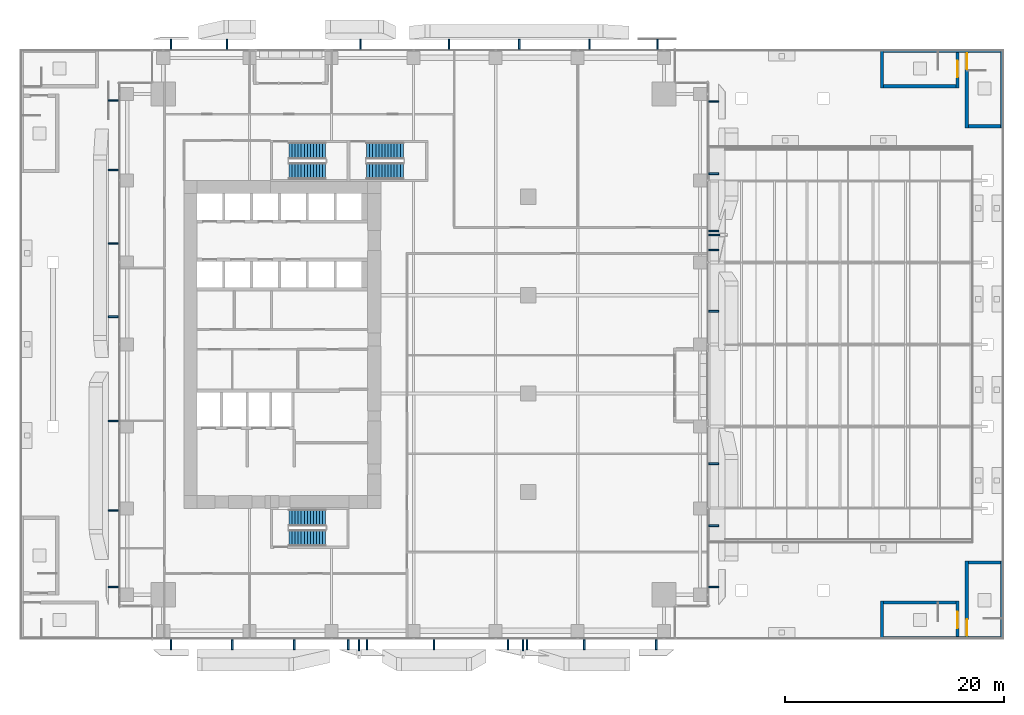
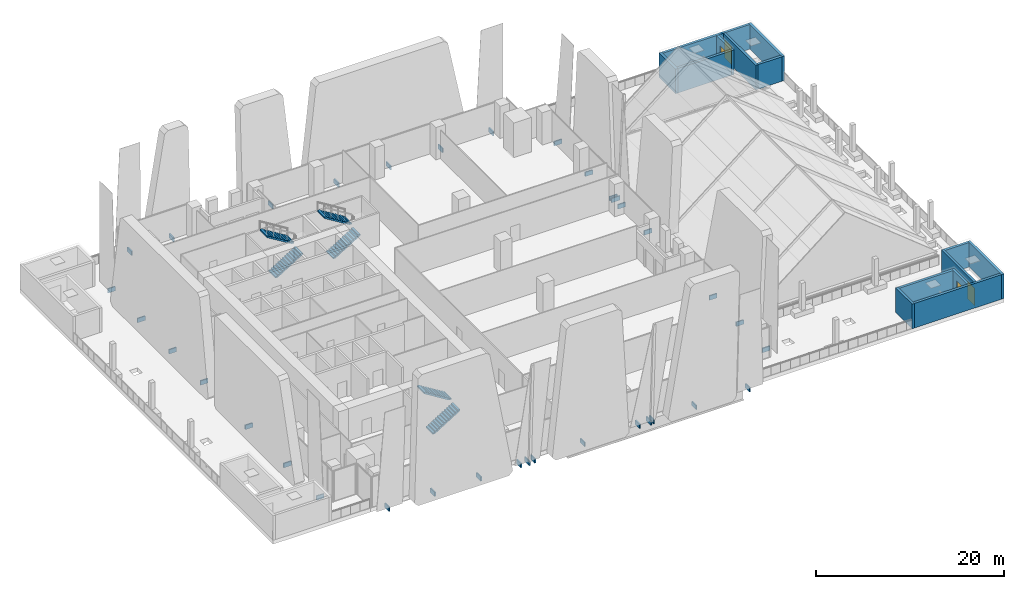
# One storey, part 39 of 46: 35 discrete accessories, 14 walls, 6 stair flights, 4 doors, 4 openings, 3 elements without a shape of their own.
"""IFC4 building model written with IfcOpenShell, lengths in metres."""

from ifc_helpers import new_model, si_unit, direction, frame, frame_2d, origin, origin_2d, place, context, subcontext, project, spatial, polyline, rectangle, outline, extrude, source, transform, mapped, material, layer, layer_set, type_object, element, fill, aggregate, save


model = new_model("IFC4")

# Units and contexts
model_context = context("Model", 3, precision=1e-05, world=origin(), true_north=direction((0.0, 1.0)))
body_context = subcontext(model_context, "Body", "Model", "MODEL_VIEW")
ifc_project = project(units=[si_unit("LENGTHUNIT", "METRE"), si_unit("AREAUNIT", "SQUARE_METRE"), si_unit("VOLUMEUNIT", "CUBIC_METRE"), si_unit("PLANEANGLEUNIT", "RADIAN"), si_unit("MASSUNIT", "GRAM", prefix="KILO")], contexts=[model_context])

# Site, building, storey
site_placement = place(None, origin())
site = spatial("IfcSite", under=ifc_project, at=site_placement, CompositionType="ELEMENT")
building_placement = place(site_placement, origin())
building = spatial("IfcBuilding", under=site, at=building_placement, Name="Khomas Fold Tower", CompositionType="ELEMENT")
storey_placement = place(building_placement, frame((0.0, 0.0, 33.0)))
storey = spatial("IfcBuildingStorey", under=building, at=storey_placement, Name="L06", CompositionType="ELEMENT", Elevation=33.0)

# Walls
ifc_material_1 = material(Name="Concrete C40/50", Category="concrete")
ifc_layer = layer(ifc_material_1, 0.300048828125)
ifc_layer_set = layer_set([ifc_layer], Name="Concrete C40/50")
wall_type = type_object("IfcWallType", Name="Stair head house wall PD-HW", PredefinedType="SOLIDWALL", material=ifc_layer_set)
shared_shape_1 = source(origin(), body_context, "Body", "SweptSolid", [
    extrude(rectangle(XDim=3.550048828125, YDim=0.300048828125, at=frame_2d((1.77490234375, 0.0))), origin(), (0.0, 0.0, 1.0), 3.199951171875),
])
for number, where, z_axis, x_axis, name in (
    (1, (69.85009765625, 3.550048828125, 0.0), (0.0, 0.0, 1.0), (0.0, -1.0, 0.0), "Stair head house wall"),
    (2, (69.85009765625, 54.0, 0.0), (0.0, 0.0, 1.0), (0.0, -1.0, 0.0), "Stair head house wall"),
):
    element("IfcWall", number, at=place(storey_placement, frame(where, z_axis=z_axis, x_axis=x_axis)), inside=storey, type_object=wall_type, Name=name, PredefinedType="SOLIDWALL", context=body_context, shape_type="MappedRepresentation", body=[
        mapped(shared_shape_1, transform((0.0, 0.0, 0.0))),
    ])
shared_shape_2 = source(origin(), body_context, "Body", "SweptSolid", [
    extrude(rectangle(XDim=2.949951171875, YDim=0.300048828125, at=frame_2d((1.47509765625, 0.0))), origin(), (0.0, 0.0, 1.0), 3.199951171875),
])
for number, where, z_axis, x_axis, name in (
    (3, (80.699951171875, 7.050048828125, 0.0), (0.0, 0.0, 1.0), (-1.0, 0.0, 0.0), "Stair head house wall"),
    (4, (77.75, 46.949951171875, 0.0), (0.0, 0.0, 1.0), (1.0, 0.0, 0.0), "Stair head house wall"),
):
    element("IfcWall", number, at=place(storey_placement, frame(where, z_axis=z_axis, x_axis=x_axis)), inside=storey, type_object=wall_type, Name=name, PredefinedType="SOLIDWALL", context=body_context, shape_type="MappedRepresentation", body=[
        mapped(shared_shape_2, transform((0.0, 0.0, 0.0))),
    ])
shared_shape_3 = source(origin(), body_context, "Body", "SweptSolid", [
    extrude(rectangle(XDim=7.199951171875, YDim=0.300048828125, at=frame_2d((3.60009765625, 0.0))), origin(), (0.0, 0.0, 1.0), 3.199951171875),
])
for number, where, z_axis, x_axis, name in (
    (5, (80.85009765625, 0.0, 0.0), (0.0, 0.0, 1.0), (0.0, 1.0, 0.0), "Stair head house wall"),
    (6, (80.85009765625, 46.800048828125, 0.0), (0.0, 0.0, 1.0), (0.0, 1.0, 0.0), "Stair head house wall"),
):
    element("IfcWall", number, at=place(storey_placement, frame(where, z_axis=z_axis, x_axis=x_axis)), inside=storey, type_object=wall_type, Name=name, PredefinedType="SOLIDWALL", context=body_context, shape_type="MappedRepresentation", body=[
        mapped(shared_shape_3, transform((0.0, 0.0, 0.0))),
    ])
shared_shape_4 = source(origin(), body_context, "Body", "SweptSolid", [
    extrude(rectangle(XDim=10.699951171875, YDim=0.300048828125, at=frame_2d((5.35009765625, 0.0))), origin(), (0.0, 0.0, 1.0), 3.199951171875),
])
for number, where, z_axis, x_axis, name in (
    (7, (70.0, 0.14990234375, 0.0), (0.0, 0.0, 1.0), (1.0, 0.0, 0.0), "Stair head house wall"),
    (8, (80.699951171875, 53.85009765625, 0.0), (0.0, 0.0, 1.0), (-1.0, 0.0, 0.0), "Stair head house wall"),
):
    element("IfcWall", number, at=place(storey_placement, frame(where, z_axis=z_axis, x_axis=x_axis)), inside=storey, type_object=wall_type, Name=name, PredefinedType="SOLIDWALL", context=body_context, shape_type="MappedRepresentation", body=[
        mapped(shared_shape_4, transform((0.0, 0.0, 0.0))),
    ])

# Wall, opening, door
shared_shape_5 = source(origin(), body_context, "Body", "SweptSolid", [
    extrude(rectangle(XDim=3.25, YDim=0.300048828125, at=frame_2d((1.625, 0.0))), origin(), (0.0, 0.0, 1.0), 3.199951171875),
])
wall_1_placement = place(storey_placement, frame((76.75, 0.300048828125, 0.0), z_axis=(0.0, 0.0, 1.0), x_axis=(0.0, 1.0, 0.0)))
wall_1 = element("IfcWall", 9, at=wall_1_placement, inside=storey, type_object=wall_type, Name="Stair head house wall", PredefinedType="SOLIDWALL", context=body_context, shape_type="MappedRepresentation", body=[
    mapped(shared_shape_5, transform((0.0, 0.0, 0.0))),
])
shared_shape_6 = source(origin(), body_context, "Body", "SweptSolid", [
    extrude(rectangle(XDim=1.5, YDim=2.300048828125, at=frame_2d((0.75, 1.14990234375))), frame((0.0, 0.159912109375, 0.0), z_axis=(0.0, -1.0, 0.0), x_axis=(1.0, 0.0, 0.0)), (0.0, 0.0, 1.0), 0.320068359375),
])
opening_1_placement = place(wall_1_placement, frame((2.25, 0.0, 0.0), z_axis=(0.0, 0.0, 1.0), x_axis=(-1.0, 0.0, 0.0)))
opening_1 = element("IfcOpeningElement", 10, at=opening_1_placement, cuts=wall_1, Name="Opening R-PS3", PredefinedType="OPENING", context=body_context, shape_type="MappedRepresentation", body=[
    mapped(shared_shape_6, transform((0.0, 0.0, 0.0))),
])
ifc_material_2 = material(Name="Aluminium framed glazing", Category="aluminium")
door_type = type_object("IfcDoorType", Name="Roof garden door 1700 x 2300", OperationType="DOUBLE_DOOR_SINGLE_SWING", PredefinedType="DOOR", material=ifc_material_2)
shared_shape_7 = source(origin(), body_context, "Body", "SweptSolid", [
    extrude(rectangle(XDim=1.5, YDim=2.300048828125, at=frame_2d((0.75, 1.14990234375))), frame((0.0, 0.02490234375, 0.0), z_axis=(0.0, -1.0, 0.0), x_axis=(1.0, 0.0, 0.0)), (0.0, 0.0, 1.0), 0.050048828125),
])
door_1_placement = place(opening_1_placement, origin())
door_1 = element("IfcDoor", 11, at=door_1_placement, inside=storey, type_object=door_type, Name="Roof exit PS3", OperationType="DOUBLE_DOOR_SINGLE_SWING", OverallHeight=2.300048828125, OverallWidth=1.5, PredefinedType="DOOR", context=body_context, shape_type="MappedRepresentation", body=[
    mapped(shared_shape_7, transform((0.0, 0.0, 0.0))),
])
fill(opening_1, door_1)

wall_2_placement = place(storey_placement, frame((76.75, 50.449951171875, 0.0), z_axis=(0.0, 0.0, 1.0), x_axis=(0.0, 1.0, 0.0)))
wall_2 = element("IfcWall", 12, at=wall_2_placement, inside=storey, type_object=wall_type, Name="Stair head house wall", PredefinedType="SOLIDWALL", context=body_context, shape_type="MappedRepresentation", body=[
    mapped(shared_shape_5, transform((0.0, 0.0, 0.0))),
])
opening_2_placement = place(wall_2_placement, frame((2.5, 0.0, 0.0), z_axis=(0.0, 0.0, 1.0), x_axis=(-1.0, 0.0, 0.0)))
opening_2 = element("IfcOpeningElement", 13, at=opening_2_placement, cuts=wall_2, Name="Opening R-PS5", PredefinedType="OPENING", context=body_context, shape_type="MappedRepresentation", body=[
    mapped(shared_shape_6, transform((0.0, 0.0, 0.0))),
])
door_2_placement = place(opening_2_placement, origin())
door_2 = element("IfcDoor", 14, at=door_2_placement, inside=storey, type_object=door_type, Name="Roof exit PS5", OperationType="DOUBLE_DOOR_SINGLE_SWING", OverallHeight=2.300048828125, OverallWidth=1.5, PredefinedType="DOOR", context=body_context, shape_type="MappedRepresentation", body=[
    mapped(shared_shape_7, transform((0.0, 0.0, 0.0))),
])
fill(opening_2, door_2)

# Walls
shared_shape_8 = source(origin(), body_context, "Body", "SweptSolid", [
    extrude(rectangle(XDim=6.60009765625, YDim=0.300048828125, at=frame_2d((3.300048828125, 0.0))), origin(), (0.0, 0.0, 1.0), 3.199951171875),
])
for number, where, z_axis, x_axis, name in (
    (15, (76.60009765625, 3.39990234375, 0.0), (0.0, 0.0, 1.0), (-1.0, 0.0, 0.0), "Stair head house wall"),
    (16, (70.0, 50.60009765625, 0.0), (0.0, 0.0, 1.0), (1.0, 0.0, 0.0), "Stair head house wall"),
):
    element("IfcWall", number, at=place(storey_placement, frame(where, z_axis=z_axis, x_axis=x_axis)), inside=storey, type_object=wall_type, Name=name, PredefinedType="SOLIDWALL", context=body_context, shape_type="MappedRepresentation", body=[
        mapped(shared_shape_8, transform((0.0, 0.0, 0.0))),
    ])

# Wall, opening, door
shared_shape_9 = source(origin(), body_context, "Body", "SweptSolid", [
    extrude(rectangle(XDim=6.89990234375, YDim=0.300048828125, at=frame_2d((3.449951171875, 0.0))), origin(), (0.0, 0.0, 1.0), 3.199951171875),
])
wall_3_placement = place(storey_placement, frame((77.60009765625, 7.199951171875, 0.0), z_axis=(0.0, 0.0, 1.0), x_axis=(0.0, -1.0, 0.0)))
wall_3 = element("IfcWall", 17, at=wall_3_placement, inside=storey, type_object=wall_type, Name="Stair head house wall", PredefinedType="SOLIDWALL", context=body_context, shape_type="MappedRepresentation", body=[
    mapped(shared_shape_9, transform((0.0, 0.0, 0.0))),
])
opening_3_placement = place(wall_3_placement, frame((5.35009765625, 0.0, 0.0)))
opening_3 = element("IfcOpeningElement", 18, at=opening_3_placement, cuts=wall_3, Name="Opening R-PS4", PredefinedType="OPENING", context=body_context, shape_type="MappedRepresentation", body=[
    mapped(shared_shape_6, transform((0.0, 0.0, 0.0))),
])
door_3_placement = place(opening_3_placement, origin())
door_3 = element("IfcDoor", 19, at=door_3_placement, inside=storey, type_object=door_type, Name="Roof exit PS4", OperationType="DOUBLE_DOOR_SINGLE_SWING", OverallHeight=2.300048828125, OverallWidth=1.5, PredefinedType="DOOR", context=body_context, shape_type="MappedRepresentation", body=[
    mapped(shared_shape_7, transform((0.0, 0.0, 0.0))),
])
fill(opening_3, door_3)

wall_4_placement = place(storey_placement, frame((77.60009765625, 53.699951171875, 0.0), z_axis=(0.0, 0.0, 1.0), x_axis=(0.0, -1.0, 0.0)))
wall_4 = element("IfcWall", 20, at=wall_4_placement, inside=storey, type_object=wall_type, Name="Stair head house wall", PredefinedType="SOLIDWALL", context=body_context, shape_type="MappedRepresentation", body=[
    mapped(shared_shape_9, transform((0.0, 0.0, 0.0))),
])
opening_4_placement = place(wall_4_placement, frame((0.050048828125, 0.0, 0.0)))
opening_4 = element("IfcOpeningElement", 21, at=opening_4_placement, cuts=wall_4, Name="Opening R-PS6", PredefinedType="OPENING", context=body_context, shape_type="MappedRepresentation", body=[
    mapped(shared_shape_6, transform((0.0, 0.0, 0.0))),
])
door_4_placement = place(opening_4_placement, origin())
door_4 = element("IfcDoor", 22, at=door_4_placement, inside=storey, type_object=door_type, Name="Roof exit PS6", OperationType="DOUBLE_DOOR_SINGLE_SWING", OverallHeight=2.300048828125, OverallWidth=1.5, PredefinedType="DOOR", context=body_context, shape_type="MappedRepresentation", body=[
    mapped(shared_shape_7, transform((0.0, 0.0, 0.0))),
])
fill(opening_4, door_4)

# Stair, stair flights
ifc_material_3 = material(Name="Concrete C40/50", Category="concrete")
stair_type_1 = type_object("IfcStairType", Name="Stair ST1", PredefinedType="HALF_TURN_STAIR", material=ifc_material_3)
stair_1_placement = place(storey_placement, origin())
stair_1 = element("IfcStair", 23, at=stair_1_placement, inside=storey, type_object=stair_type_1, Name="L06 ST1", PredefinedType="HALF_TURN_STAIR")
ifc_material_4 = material(Name="Concrete C40/50", Category="concrete")
stair_flight_type_1 = type_object("IfcStairFlightType", Name="Stair flight 1500 ST1", PredefinedType="STRAIGHT", material=ifc_material_4)
shared_shape_10 = source(origin(), body_context, "Body", "SweptSolid", [
    extrude(outline(polyline([(0.0, 0.0), (0.0, 0.013427734375), (0.0, 0.026611328125), (0.0, 0.0400390625), (0.0, 0.05322265625), (0.0, 0.066650390625), (0.0, 0.079833984375), (0.0, 0.09326171875), (0.0, 0.1064453125), (0.0, 0.119873046875), (0.0, 0.133056640625), (0.0, 0.146484375), (0.0, 0.15966796875), (0.0, 0.173095703125), (0.280029296875, 0.173095703125), (0.280029296875, 0.34619140625), (0.56005859375, 0.34619140625), (0.56005859375, 0.519287109375), (0.840087890625, 0.519287109375), (0.840087890625, 0.6923828125), (1.1201171875, 0.6923828125), (1.1201171875, 0.865478515625), (1.39990234375, 0.865478515625), (1.39990234375, 1.03857421875), (1.679931640625, 1.03857421875), (1.679931640625, 1.21142578125), (1.9599609375, 1.21142578125), (1.9599609375, 1.384521484375), (2.239990234375, 1.384521484375), (2.239990234375, 1.5576171875), (2.52001953125, 1.5576171875), (2.52001953125, 1.730712890625), (2.800048828125, 1.730712890625), (2.800048828125, 1.90380859375), (3.080078125, 1.90380859375), (3.080078125, 2.076904296875), (3.360107421875, 2.076904296875), (3.360107421875, 2.25), (3.360107421875, 2.22314453125), (3.360107421875, 2.1962890625), (3.360107421875, 2.16943359375), (3.360107421875, 2.142578125), (3.360107421875, 2.11572265625), (3.360107421875, 2.0888671875), (3.360107421875, 2.06201171875), (3.360107421875, 2.03515625), (3.360107421875, 2.008056640625), (3.360107421875, 1.981201171875), (3.360107421875, 1.954345703125), (3.360107421875, 1.927490234375), (3.360107421875, 1.900634765625), (0.28515625, 0.0), (0.0, 0.0)])), frame((0.0, 0.75, 0.0), z_axis=(0.0, -1.0, 0.0), x_axis=(1.0, 0.0, 0.0)), (0.0, 0.0, 1.0), 1.5),
])
stair_flight_1_placement = place(storey_placement, frame((15.60009765625, 42.85009765625, 0.0), z_axis=(0.0, 0.0, 1.0), x_axis=(1.0, 0.0, 0.0)))
stair_flight_1 = element("IfcStairFlight", 24, at=stair_flight_1_placement, type_object=stair_flight_type_1, Name="ST1 flight 1", NumberOfRisers=13, NumberOfTreads=12, PredefinedType="STRAIGHT", RiserHeight=0.173076923, TreadLength=0.28, context=body_context, shape_type="MappedRepresentation", body=[
    mapped(shared_shape_10, transform((0.0, 0.0, 0.0))),
])
stair_flight_2_placement = place(storey_placement, frame((18.9599609375, 44.699951171875, 2.25), z_axis=(0.0, 0.0, 1.0), x_axis=(-1.0, 0.0, 0.0)))
stair_flight_2 = element("IfcStairFlight", 25, at=stair_flight_2_placement, type_object=stair_flight_type_1, Name="ST1 flight 2", NumberOfRisers=13, NumberOfTreads=12, PredefinedType="STRAIGHT", RiserHeight=0.173076923, TreadLength=0.28, context=body_context, shape_type="MappedRepresentation", body=[
    mapped(shared_shape_10, transform((0.0, 0.0, 0.0))),
])
aggregate(stair_1, [stair_flight_1, stair_flight_2])

ifc_material_5 = material(Name="Concrete C40/50", Category="concrete")
stair_type_2 = type_object("IfcStairType", Name="Stair ST2", PredefinedType="HALF_TURN_STAIR", material=ifc_material_5)
stair_2_placement = place(storey_placement, origin())
stair_2 = element("IfcStair", 26, at=stair_2_placement, inside=storey, type_object=stair_type_2, Name="L06 ST2", PredefinedType="HALF_TURN_STAIR")
ifc_material_6 = material(Name="Concrete C40/50", Category="concrete")
stair_flight_type_2 = type_object("IfcStairFlightType", Name="Stair flight 1500 ST2", PredefinedType="STRAIGHT", material=ifc_material_6)
stair_flight_3_placement = place(storey_placement, frame((15.60009765625, 9.300048828125, 0.0), z_axis=(0.0, 0.0, 1.0), x_axis=(1.0, 0.0, 0.0)))
stair_flight_3 = element("IfcStairFlight", 27, at=stair_flight_3_placement, type_object=stair_flight_type_2, Name="ST2 flight 1", NumberOfRisers=13, NumberOfTreads=12, PredefinedType="STRAIGHT", RiserHeight=0.173076923, TreadLength=0.28, context=body_context, shape_type="MappedRepresentation", body=[
    mapped(shared_shape_10, transform((0.0, 0.0, 0.0))),
])
stair_flight_4_placement = place(storey_placement, frame((18.9599609375, 11.14990234375, 2.25), z_axis=(0.0, 0.0, 1.0), x_axis=(-1.0, 0.0, 0.0)))
stair_flight_4 = element("IfcStairFlight", 28, at=stair_flight_4_placement, type_object=stair_flight_type_2, Name="ST2 flight 2", NumberOfRisers=13, NumberOfTreads=12, PredefinedType="STRAIGHT", RiserHeight=0.173076923, TreadLength=0.28, context=body_context, shape_type="MappedRepresentation", body=[
    mapped(shared_shape_10, transform((0.0, 0.0, 0.0))),
])
aggregate(stair_2, [stair_flight_3, stair_flight_4])

ifc_material_7 = material(Name="Concrete C40/50", Category="concrete")
stair_type_3 = type_object("IfcStairType", Name="Stair ST3", PredefinedType="HALF_TURN_STAIR", material=ifc_material_7)
stair_3_placement = place(storey_placement, origin())
stair_3 = element("IfcStair", 29, at=stair_3_placement, inside=storey, type_object=stair_type_3, Name="L06 ST3", PredefinedType="HALF_TURN_STAIR")
ifc_material_8 = material(Name="Concrete C40/50", Category="concrete")
stair_flight_type_3 = type_object("IfcStairFlightType", Name="Stair flight 1500 ST3", PredefinedType="STRAIGHT", material=ifc_material_8)
stair_flight_5_placement = place(storey_placement, frame((22.699951171875, 42.85009765625, 0.0), z_axis=(0.0, 0.0, 1.0), x_axis=(1.0, 0.0, 0.0)))
stair_flight_5 = element("IfcStairFlight", 30, at=stair_flight_5_placement, type_object=stair_flight_type_3, Name="ST3 flight 1", NumberOfRisers=13, NumberOfTreads=12, PredefinedType="STRAIGHT", RiserHeight=0.173076923, TreadLength=0.28, context=body_context, shape_type="MappedRepresentation", body=[
    mapped(shared_shape_10, transform((0.0, 0.0, 0.0))),
])
stair_flight_6_placement = place(storey_placement, frame((26.06005859375, 44.699951171875, 2.25), z_axis=(0.0, 0.0, 1.0), x_axis=(-1.0, 0.0, 0.0)))
stair_flight_6 = element("IfcStairFlight", 31, at=stair_flight_6_placement, type_object=stair_flight_type_3, Name="ST3 flight 2", NumberOfRisers=13, NumberOfTreads=12, PredefinedType="STRAIGHT", RiserHeight=0.173076923, TreadLength=0.28, context=body_context, shape_type="MappedRepresentation", body=[
    mapped(shared_shape_10, transform((0.0, 0.0, 0.0))),
])
aggregate(stair_3, [stair_flight_5, stair_flight_6])

# Discrete accessories
ifc_material_9 = material(Name="Stainless steel", Category="steel")
discrete_accessory_type = type_object("IfcDiscreteAccessoryType", Name="SK-Stainless steel stone bracket", PredefinedType="BRACKET", material=ifc_material_9)
shared_shape_11 = source(origin(), body_context, "Body", "SweptSolid", [
    extrude(rectangle(XDim=0.92626953125, YDim=0.14990234375, at=origin_2d()), origin(), (0.0, 0.0, 1.0), 0.56005859375),
])
for number, where, z_axis, x_axis, name in (
    (32, (10.4130859375, -0.463134765625, -0.5), (0.0, 0.0, 1.0), (0.0, -1.0, 0.0), "Stone bracket L06 SS03-1-1"),
    (33, (16.0791015625, -0.463134765625, -0.5), (0.0, 0.0, 1.0), (0.0, -1.0, 0.0), "Stone bracket L06 SS03-1-2"),
    (34, (28.877685546875, -0.463134765625, -0.5), (0.0, 0.0, 1.0), (0.0, -1.0, 0.0), "Stone bracket L06 SS06-2-1"),
    (35, (42.613037109375, -0.463134765625, -0.5), (0.0, 0.0, 1.0), (0.0, -1.0, 0.0), "Stone bracket L06 SS09-3-1"),
    (36, (54.463134765625, 10.4130859375, -0.5), (0.0, 0.0, 1.0), (1.0, 0.0, 0.0), "Stone bracket L06 ES03-1-1"),
    (37, (54.463134765625, 16.0791015625, -0.5), (0.0, 0.0, 1.0), (1.0, 0.0, 0.0), "Stone bracket L06 ES03-1-2"),
    (38, (54.463134765625, 30.0283203125, -0.5), (0.0, 0.0, 1.0), (1.0, 0.0, 0.0), "Stone bracket L06 ES06-2-1"),
    (39, (54.463134765625, 42.613037109375, -0.5), (0.0, 0.0, 1.0), (1.0, 0.0, 0.0), "Stone bracket L06 ES09-3-1"),
    (40, (22.1396484375, 54.463134765625, -0.5), (0.0, 0.0, 1.0), (0.0, 1.0, 0.0), "Stone bracket L06 NS05-1-1"),
    (41, (9.933837890625, 54.463134765625, -0.5), (0.0, 0.0, 1.0), (0.0, 1.0, 0.0), "Stone bracket L06 NS05-2-1"),
    (42, (-0.463134765625, 11.7978515625, -0.5), (0.0, 0.0, 1.0), (-1.0, 0.0, 0.0), "Stone bracket L06 WS05-1-1"),
    (43, (-0.463134765625, 19.998291015625, -0.5), (0.0, 0.0, 1.0), (-1.0, 0.0, 0.0), "Stone bracket L06 WS05-1-2"),
    (44, (4.800048828125, -0.463134765625, -0.5), (0.0, 0.0, 1.0), (0.0, -1.0, 0.0), "Stone bracket L06 SG098-1-1"),
    (45, (21.022216796875, -0.463134765625, -0.5), (0.0, 0.0, 1.0), (0.0, -1.0, 0.0), "Stone bracket L06 SG101-2-1"),
    (46, (22.743896484375, -0.463134765625, -0.5), (0.0, 0.0, 1.0), (0.0, -1.0, 0.0), "Stone bracket L06 SG102-4-1"),
    (47, (35.63818359375, -0.463134765625, -0.5), (0.0, 0.0, 1.0), (0.0, -1.0, 0.0), "Stone bracket L06 SG104-5-1"),
    (48, (37.3603515625, -0.463134765625, -0.5), (0.0, 0.0, 1.0), (0.0, -1.0, 0.0), "Stone bracket L06 SG105-7-1"),
    (49, (49.199951171875, -0.463134765625, -0.5), (0.0, 0.0, 1.0), (0.0, -1.0, 0.0), "Stone bracket L06 SG107-8-1"),
    (50, (54.463134765625, 4.800048828125, -0.5), (0.0, 0.0, 1.0), (1.0, 0.0, 0.0), "Stone bracket L06 EG098-1-1"),
    (51, (54.463134765625, 35.63818359375, -0.5), (0.0, 0.0, 1.0), (1.0, 0.0, 0.0), "Stone bracket L06 EG104-2-1"),
    (52, (54.463134765625, 37.3603515625, -0.5), (0.0, 0.0, 1.0), (1.0, 0.0, 0.0), "Stone bracket L06 EG105-4-1"),
    (53, (54.463134765625, 49.199951171875, -0.5), (0.0, 0.0, 1.0), (1.0, 0.0, 0.0), "Stone bracket L06 EG107-5-1"),
):
    element("IfcDiscreteAccessory", number, at=place(storey_placement, frame(where, z_axis=z_axis, x_axis=x_axis)), inside=storey, type_object=discrete_accessory_type, Name=name, PredefinedType="BRACKET", context=body_context, shape_type="MappedRepresentation", body=[
        mapped(shared_shape_11, transform((0.0, 0.0, 0.0))),
    ])
shared_shape_12 = source(origin(), body_context, "Body", "SweptSolid", [
    extrude(rectangle(XDim=0.92529296875, YDim=0.14990234375, at=origin_2d()), origin(), (0.0, 0.0, 1.0), 0.56005859375),
])
for number, where, z_axis, x_axis, name in (
    (54, (30.239990234375, 54.462646484375, -0.5), (0.0, 0.0, 1.0), (0.0, 1.0, 0.0), "Stone bracket L06 NS08-3-1"),
    (55, (36.663818359375, 54.462646484375, -0.5), (0.0, 0.0, 1.0), (0.0, 1.0, 0.0), "Stone bracket L06 NS08-3-2"),
    (56, (43.087646484375, 54.462646484375, -0.5), (0.0, 0.0, 1.0), (0.0, 1.0, 0.0), "Stone bracket L06 NS08-3-3"),
    (57, (-0.462646484375, 29.53125, -0.5), (0.0, 0.0, 1.0), (-1.0, 0.0, 0.0), "Stone bracket L06 WS08-2-1"),
    (58, (-0.462646484375, 36.238525390625, -0.5), (0.0, 0.0, 1.0), (-1.0, 0.0, 0.0), "Stone bracket L06 WS08-2-2"),
    (59, (-0.462646484375, 42.946044921875, -0.5), (0.0, 0.0, 1.0), (-1.0, 0.0, 0.0), "Stone bracket L06 WS08-2-3"),
    (60, (4.800048828125, 54.462646484375, -0.5), (0.0, 0.0, 1.0), (0.0, 1.0, 0.0), "Stone bracket L06 NG098-1-1"),
    (61, (-0.462646484375, 4.800048828125, -0.5), (0.0, 0.0, 1.0), (-1.0, 0.0, 0.0), "Stone bracket L06 WG098-1-1"),
):
    element("IfcDiscreteAccessory", number, at=place(storey_placement, frame(where, z_axis=z_axis, x_axis=x_axis)), inside=storey, type_object=discrete_accessory_type, Name=name, PredefinedType="BRACKET", context=body_context, shape_type="MappedRepresentation", body=[
        mapped(shared_shape_12, transform((0.0, 0.0, 0.0))),
    ])
shared_shape_13 = source(origin(), body_context, "Body", "SweptSolid", [
    extrude(rectangle(XDim=1.021240234375, YDim=0.14990234375, at=origin_2d()), origin(), (0.0, 0.0, 1.0), 0.56005859375),
])
for number, where, z_axis, x_axis, name in (
    (62, (22.0, -0.5107421875, -0.5), (0.0, 0.0, 1.0), (0.0, -1.0, 0.0), "Stone bracket L06 SM102-3-1"),
    (63, (37.0, -0.5107421875, -0.5), (0.0, 0.0, 1.0), (0.0, -1.0, 0.0), "Stone bracket L06 SM105-6-1"),
    (64, (54.5107421875, 37.0, -0.5), (0.0, 0.0, 1.0), (1.0, 0.0, 0.0), "Stone bracket L06 EM105-3-1"),
):
    element("IfcDiscreteAccessory", number, at=place(storey_placement, frame(where, z_axis=z_axis, x_axis=x_axis)), inside=storey, type_object=discrete_accessory_type, Name=name, PredefinedType="BRACKET", context=body_context, shape_type="MappedRepresentation", body=[
        mapped(shared_shape_13, transform((0.0, 0.0, 0.0))),
    ])
shared_shape_14 = source(origin(), body_context, "Body", "SweptSolid", [
    extrude(rectangle(XDim=0.925048828125, YDim=0.14990234375, at=origin_2d()), origin(), (0.0, 0.0, 1.0), 0.56005859375),
])
for number, where, z_axis, x_axis, name in (
    (65, (49.300048828125, 54.46240234375, -0.5), (0.0, 0.0, 1.0), (0.0, 1.0, 0.0), "Stone bracket L06 NG107-2-1"),
    (66, (-0.46240234375, 49.300048828125, -0.5), (0.0, 0.0, 1.0), (-1.0, 0.0, 0.0), "Stone bracket L06 WG107-2-1"),
):
    element("IfcDiscreteAccessory", number, at=place(storey_placement, frame(where, z_axis=z_axis, x_axis=x_axis)), inside=storey, type_object=discrete_accessory_type, Name=name, PredefinedType="BRACKET", context=body_context, shape_type="MappedRepresentation", body=[
        mapped(shared_shape_14, transform((0.0, 0.0, 0.0))),
    ])

save(model, "model.ifc")
